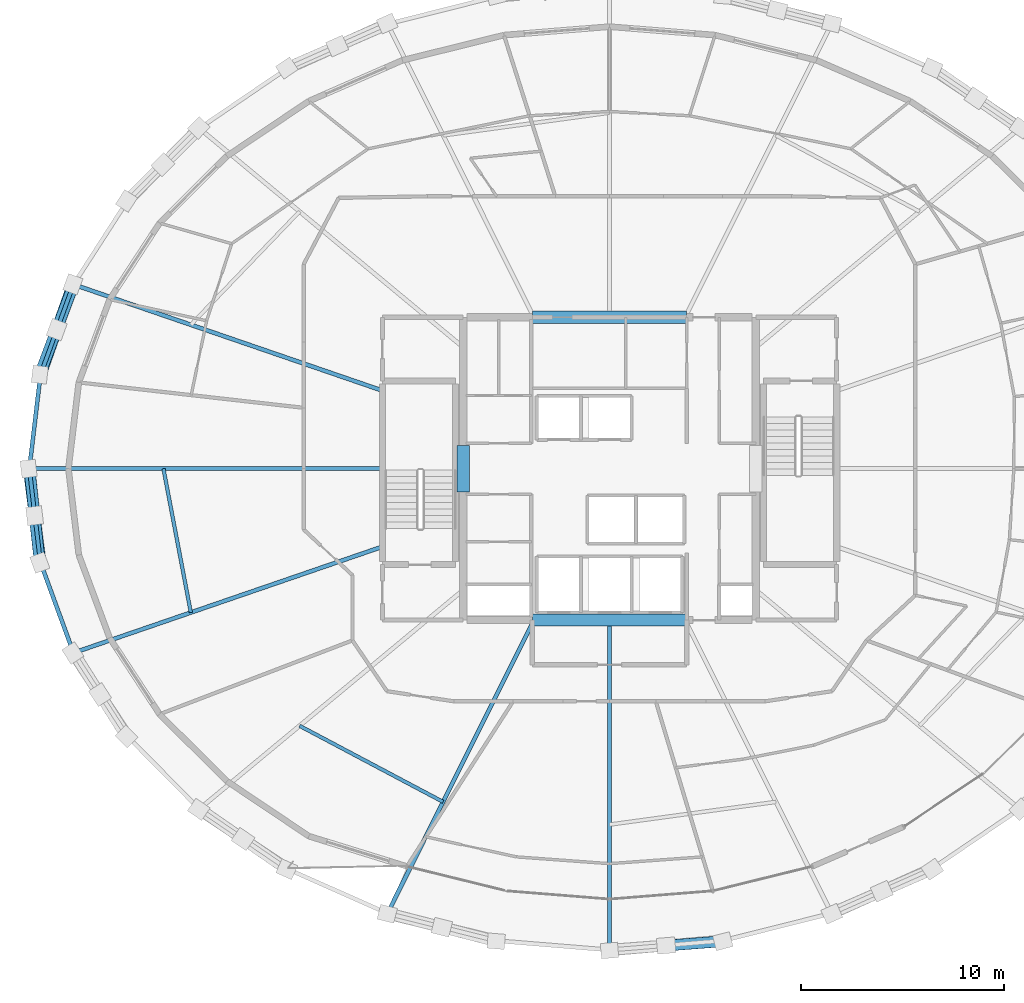
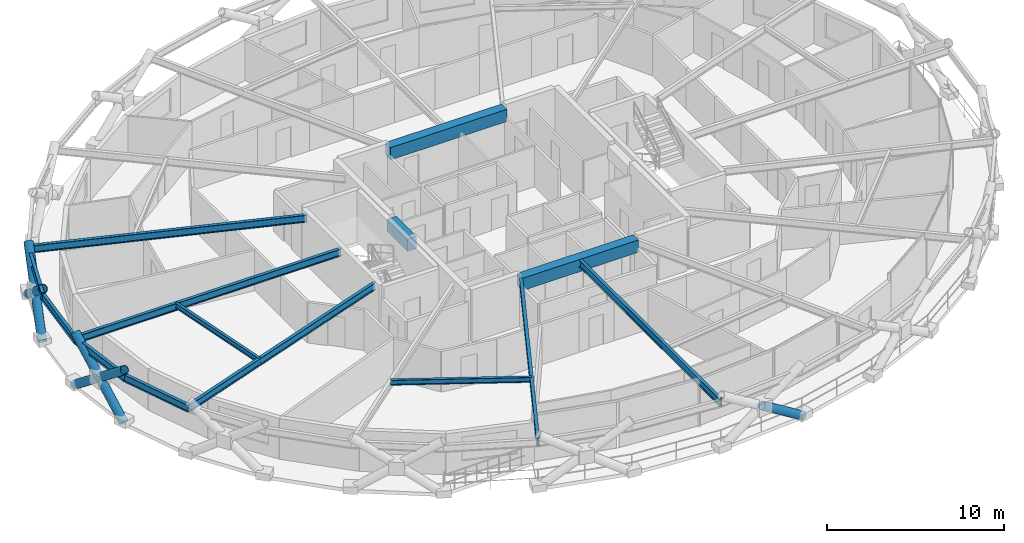
# One storey, part 3 of 21: 14 beams, 7 members.
"""IFC4 building model written with IfcOpenShell, lengths in metres."""

from ifc_helpers import new_model, si_unit, direction, frame, origin, origin_2d, place, context, subcontext, project, spatial, rectangle, hollow_circle, i_section, extrude, material, material_profile, profile_set, type_object, element, save


model = new_model("IFC4")

# Units and contexts
model_context = context("Model", 3, precision=1e-05, world=origin(), true_north=direction((0.0, 1.0)))
body_context = subcontext(model_context, "Body", "Model", "MODEL_VIEW")
ifc_project = project(units=[si_unit("LENGTHUNIT", "METRE"), si_unit("AREAUNIT", "SQUARE_METRE"), si_unit("VOLUMEUNIT", "CUBIC_METRE"), si_unit("PLANEANGLEUNIT", "RADIAN"), si_unit("MASSUNIT", "GRAM", prefix="KILO")], contexts=[model_context])

# Site, building, storey
site_placement = place(None, origin())
site = spatial("IfcSite", under=ifc_project, at=site_placement, CompositionType="ELEMENT")
building_placement = place(site_placement, origin())
building = spatial("IfcBuilding", under=site, at=building_placement, Name="Veldorina Hangang Commons", CompositionType="ELEMENT")
storey_placement = place(building_placement, frame((0.0, 0.0, 128.0)))
storey = spatial("IfcBuildingStorey", under=building, at=storey_placement, Name="L32", CompositionType="ELEMENT", Elevation=128.0)

# Beams
ifc_material_1 = material(Name="Concrete C60/75", Category="concrete")
ifc_material_profile_1 = material_profile(ifc_material_1, rectangle(XDim=0.60009765625, YDim=0.85009765625, at=origin_2d()), Name="RC-CB-600x850")
ifc_profile_set_1 = profile_set([ifc_material_profile_1], Name="Concrete C60/75")
beam_type_1 = type_object("IfcBeamType", Name="BM-CB850", PredefinedType="LINTEL", material=ifc_profile_set_1)
beam_1_placement = place(storey_placement, frame((24.800048828125, 22.85009765625, 2.925048828125), z_axis=(0.0, 1.0, 0.0), x_axis=(-1.0, 0.0, 0.0)))
element("IfcBeam", 1, at=beam_1_placement, inside=storey, type_object=beam_type_1, Name="L32 W core coupling lintel beam", PredefinedType="LINTEL", context=body_context, shape_type="SweptSolid", body=[
    extrude(rectangle(XDim=0.60009765625, YDim=0.85009765625, at=origin_2d()), origin(), (0.0, 0.0, 1.0), 2.2998046875),
])
for number, where, z_axis, x_axis, name in (
    (2, (28.199951171875, 16.550048828125, 2.925048828125), (1.0, 0.0, 0.0), (0.0, 1.0, 0.0), "L32 south core coupling beam"),
    (3, (28.199951171875, 31.449951171875, 2.925048828125), (1.0, 0.0, 0.0), (0.0, 1.0, 0.0), "L32 north core coupling beam"),
):
    element("IfcBeam", number, at=place(storey_placement, frame(where, z_axis=z_axis, x_axis=x_axis)), inside=storey, type_object=beam_type_1, Name=name, PredefinedType="LINTEL", context=body_context, shape_type="SweptSolid", body=[
        extrude(rectangle(XDim=0.60009765625, YDim=0.85009765625, at=origin_2d()), origin(), (0.0, 0.0, 1.0), 7.60009765625),
    ])
ifc_material_2 = material(Name="Steel SM420-TMC", Category="steel")
ifc_material_profile_2 = material_profile(ifc_material_2, i_section(OverallWidth=0.199951171875, OverallDepth=0.5, WebThickness=0.010009765625, FlangeThickness=0.01611328125, FilletRadius=0.01611328125, at=origin_2d()), Name="H-500x200x10x16")
ifc_profile_set_2 = profile_set([ifc_material_profile_2], Name="Steel SM420-TMC")
beam_type_2 = type_object("IfcBeamType", Name="BM-FG500", PredefinedType="BEAM", material=ifc_profile_set_2)
beam_2_placement = place(storey_placement, frame((20.820068359375, 27.841796875, 3.10009765625), z_axis=(-0.945721042054, 0.32497955415, 0.0), x_axis=(-0.32497955415, -0.945721042054, 0.0)))
element("IfcBeam", 4, at=beam_2_placement, inside=storey, type_object=beam_type_2, Name="L32 radial floor girder 08", PredefinedType="BEAM", context=body_context, shape_type="SweptSolid", body=[
    extrude(i_section(OverallWidth=0.199951171875, OverallDepth=0.5, WebThickness=0.010009765625, FlangeThickness=0.01611328125, FilletRadius=0.01611328125, at=origin_2d()), origin(), (0.0, 0.0, 1.0), 16.068359375),
])
beam_3_placement = place(storey_placement, frame((20.820068359375, 24.0, 3.10009765625), z_axis=(-1.0, 0.0, 0.0), x_axis=(0.0, -1.0, 0.0)))
element("IfcBeam", 5, at=beam_3_placement, inside=storey, type_object=beam_type_2, Name="L32 radial floor girder 09", PredefinedType="BEAM", context=body_context, shape_type="SweptSolid", body=[
    extrude(i_section(OverallWidth=0.199951171875, OverallDepth=0.5, WebThickness=0.010009765625, FlangeThickness=0.01611328125, FilletRadius=0.01611328125, at=origin_2d()), origin(), (0.0, 0.0, 1.0), 17.36962890625),
])
beam_4_placement = place(storey_placement, frame((20.820068359375, 20.158203125, 3.10009765625), z_axis=(-0.945721042054, -0.32497955415, 0.0), x_axis=(0.32497955415, -0.945721042054, 0.0)))
element("IfcBeam", 6, at=beam_4_placement, inside=storey, type_object=beam_type_2, Name="L32 radial floor girder 10", PredefinedType="BEAM", context=body_context, shape_type="SweptSolid", body=[
    extrude(i_section(OverallWidth=0.199951171875, OverallDepth=0.5, WebThickness=0.010009765625, FlangeThickness=0.01611328125, FilletRadius=0.01611328125, at=origin_2d()), origin(), (0.0, 0.0, 1.0), 16.068359375),
])
beam_5_placement = place(storey_placement, frame((28.2802734375, 16.550048828125, 3.10009765625), z_axis=(-0.446698926258, -0.89468434058, 0.0), x_axis=(0.89468434058, -0.446698926258, 0.0)))
element("IfcBeam", 7, at=beam_5_placement, inside=storey, type_object=beam_type_2, Name="L32 radial floor girder 12", PredefinedType="BEAM", context=body_context, shape_type="SweptSolid", body=[
    extrude(i_section(OverallWidth=0.199951171875, OverallDepth=0.5, WebThickness=0.010009765625, FlangeThickness=0.01611328125, FilletRadius=0.01611328125, at=origin_2d()), origin(), (0.0, 0.0, 1.0), 16.130615234375),
])
beam_6_placement = place(storey_placement, frame((32.0, 16.550048828125, 3.10009765625), z_axis=(0.0, -1.0, 0.0), x_axis=(1.0, 0.0, 0.0)))
element("IfcBeam", 8, at=beam_6_placement, inside=storey, type_object=beam_type_2, Name="L32 radial floor girder 13", PredefinedType="BEAM", context=body_context, shape_type="SweptSolid", body=[
    extrude(i_section(OverallWidth=0.199951171875, OverallDepth=0.5, WebThickness=0.010009765625, FlangeThickness=0.01611328125, FilletRadius=0.01611328125, at=origin_2d()), origin(), (0.0, 0.0, 1.0), 16.23486328125),
])
ifc_material_3 = material(Name="Steel SM355-TMC", Category="steel")
ifc_material_profile_3 = material_profile(ifc_material_3, i_section(OverallWidth=0.175048828125, OverallDepth=0.35009765625, WebThickness=0.007080078125, FlangeThickness=0.010986328125, FilletRadius=0.012939453125, at=origin_2d()), Name="H-350x175x7x11")
ifc_profile_set_3 = profile_set([ifc_material_profile_3], Name="Steel SM355-TMC")
beam_type_3 = type_object("IfcBeamType", Name="BM-JST350", PredefinedType="JOIST", material=ifc_profile_set_3)
beam_7_placement = place(storey_placement, frame((10.05078125, 24.0, 3.175048828125), z_axis=(0.186973554, -0.982364947514, 0.0), x_axis=(0.982364947514, 0.186973554, 0.0)))
element("IfcBeam", 9, at=beam_7_placement, inside=storey, type_object=beam_type_3, Name="L32 secondary floor joist 09", PredefinedType="JOIST", context=body_context, shape_type="SweptSolid", body=[
    extrude(i_section(OverallWidth=0.175048828125, OverallDepth=0.35009765625, WebThickness=0.007080078125, FlangeThickness=0.010986328125, FilletRadius=0.012939453125, at=origin_2d()), origin(), (0.0, 0.0, 1.0), 7.20654296875),
])
beam_8_placement = place(storey_placement, frame((16.747802734375, 11.3466796875, 3.175048828125), z_axis=(0.883574668701, -0.46829029974, 0.0), x_axis=(0.46829029974, 0.883574668701, 0.0)))
element("IfcBeam", 10, at=beam_8_placement, inside=storey, type_object=beam_type_3, Name="L32 secondary floor joist 11", PredefinedType="JOIST", context=body_context, shape_type="SweptSolid", body=[
    extrude(i_section(OverallWidth=0.175048828125, OverallDepth=0.35009765625, WebThickness=0.007080078125, FlangeThickness=0.010986328125, FilletRadius=0.012939453125, at=origin_2d()), origin(), (0.0, 0.0, 1.0), 7.995849609375),
])
ifc_material_profile_4 = material_profile(ifc_material_2, i_section(OverallWidth=0.199951171875, OverallDepth=0.5, WebThickness=0.010009765625, FlangeThickness=0.01611328125, FilletRadius=0.01611328125, at=origin_2d()), Name="H-500x200x10x16")
ifc_profile_set_4 = profile_set([ifc_material_profile_4], Name="Steel SM420-TMC")
beam_type_4 = type_object("IfcBeamType", Name="BM-RB500", PredefinedType="BEAM", material=ifc_profile_set_4)
beam_9_placement = place(storey_placement, frame((5.623779296875, 33.063720703125, 3.10009765625), z_axis=(-0.343437214821, -0.939175638247, 0.0), x_axis=(0.939175638247, -0.343437214821, 0.0)))
element("IfcBeam", 11, at=beam_9_placement, inside=storey, type_object=beam_type_4, Name="L32 perimeter hoop ring beam 14", PredefinedType="BEAM", context=body_context, shape_type="SweptSolid", body=[
    extrude(i_section(OverallWidth=0.199951171875, OverallDepth=0.5, WebThickness=0.010009765625, FlangeThickness=0.01611328125, FilletRadius=0.01611328125, at=origin_2d()), origin(), (0.0, 0.0, 1.0), 4.73095703125),
])
for number, where, z_axis, x_axis, name in (
    (12, (3.9990234375, 28.62060546875, 3.10009765625), (-0.117897542711, -0.993025764733, 0.0), (0.993025764733, -0.117897542711, 0.0), "L32 perimeter hoop ring beam 15"),
    (13, (3.450439453125, 24.0, 3.10009765625), (0.117897542711, -0.993025764733, 0.0), (0.993025764733, 0.117897542711, 0.0), "L32 perimeter hoop ring beam 16"),
):
    element("IfcBeam", number, at=place(storey_placement, frame(where, z_axis=z_axis, x_axis=x_axis)), inside=storey, type_object=beam_type_4, Name=name, PredefinedType="BEAM", context=body_context, shape_type="SweptSolid", body=[
        extrude(i_section(OverallWidth=0.199951171875, OverallDepth=0.5, WebThickness=0.010009765625, FlangeThickness=0.01611328125, FilletRadius=0.01611328125, at=origin_2d()), origin(), (0.0, 0.0, 1.0), 4.653076171875),
    ])
beam_10_placement = place(storey_placement, frame((3.9990234375, 19.37939453125, 3.10009765625), z_axis=(0.343437214821, -0.939175638247, 0.0), x_axis=(0.939175638247, 0.343437214821, 0.0)))
element("IfcBeam", 14, at=beam_10_placement, inside=storey, type_object=beam_type_4, Name="L32 perimeter hoop ring beam 17", PredefinedType="BEAM", context=body_context, shape_type="SweptSolid", body=[
    extrude(i_section(OverallWidth=0.199951171875, OverallDepth=0.5, WebThickness=0.010009765625, FlangeThickness=0.01611328125, FilletRadius=0.01611328125, at=origin_2d()), origin(), (0.0, 0.0, 1.0), 4.73095703125),
])

# Members
ifc_material_profile_5 = material_profile(ifc_material_2, hollow_circle(Radius=0.27490234375, WallThickness=0.028076171875, at=origin_2d()), Name="CHS-550x28")
ifc_profile_set_5 = profile_set([ifc_material_profile_5], Name="Steel SM420-TMC")
member_type = type_object("IfcMemberType", Name="DG-CHS550", PredefinedType="BRACE", material=ifc_profile_set_5)
member_1_placement = place(storey_placement, frame((5.59033203125, 33.073486328125, 0.0), z_axis=(-0.266814533513, -0.749496569193, 0.605858809852), x_axis=(0.942084933013, -0.335374386306, 0.0)))
element("IfcMember", 15, at=member_1_placement, inside=storey, type_object=member_type, Name="L32 continuous perimeter diagrid brace 14", PredefinedType="BRACE", context=body_context, shape_type="SweptSolid", body=[
    extrude(hollow_circle(Radius=0.27490234375, WallThickness=0.028076171875, at=origin_2d()), origin(), (0.0, 0.0, 1.0), 5.942138671875),
])
member_2_placement = place(storey_placement, frame((3.9638671875, 28.62548828125, 0.0), z_axis=(0.279854556801, 0.745513516095, 0.604889266194), x_axis=(-0.936210637294, 0.351439386833, 0.0)))
element("IfcMember", 16, at=member_2_placement, inside=storey, type_object=member_type, Name="L32 split perimeter diagrid lower brace 15", PredefinedType="BRACE", context=body_context, shape_type="SweptSolid", body=[
    extrude(hollow_circle(Radius=0.27490234375, WallThickness=0.028076171875, at=origin_2d()), origin(), (0.0, 0.0, 1.0), 2.9775390625),
])
member_3_placement = place(storey_placement, frame((4.797119140625, 30.84521484375, 1.801025390625), z_axis=(0.279775813415, 0.745494178879, 0.604949521436), x_axis=(-0.936240171833, 0.351360698778, 0.0)))
element("IfcMember", 17, at=member_3_placement, inside=storey, type_object=member_type, Name="L32 split perimeter diagrid upper brace 15", PredefinedType="BRACE", context=body_context, shape_type="SweptSolid", body=[
    extrude(hollow_circle(Radius=0.27490234375, WallThickness=0.028076171875, at=origin_2d()), origin(), (0.0, 0.0, 1.0), 2.973876953125),
])
member_4_placement = place(storey_placement, frame((3.41455078125, 24.0, 0.0), z_axis=(0.100283515768, -0.784807679437, 0.611571845953), x_axis=(0.991934642077, 0.126750407681, 0.0)))
element("IfcMember", 18, at=member_4_placement, inside=storey, type_object=member_type, Name="L32 continuous perimeter diagrid brace 16", PredefinedType="BRACE", context=body_context, shape_type="SweptSolid", body=[
    extrude(hollow_circle(Radius=0.27490234375, WallThickness=0.028076171875, at=origin_2d()), origin(), (0.0, 0.0, 1.0), 5.88671875),
])
member_5_placement = place(storey_placement, frame((3.9638671875, 19.37451171875, 0.0), z_axis=(-0.086344636757, 0.786225563704, 0.611877411482), x_axis=(-0.994023602014, -0.109165372898, 0.0)))
element("IfcMember", 19, at=member_5_placement, inside=storey, type_object=member_type, Name="L32 split perimeter diagrid lower brace 17", PredefinedType="BRACE", context=body_context, shape_type="SweptSolid", body=[
    extrude(hollow_circle(Radius=0.27490234375, WallThickness=0.028076171875, at=origin_2d()), origin(), (0.0, 0.0, 1.0), 2.943359375),
])
member_6_placement = place(storey_placement, frame((3.709716796875, 21.688720703125, 1.801025390625), z_axis=(-0.086200110084, 0.786181543513, 0.61195434606), x_axis=(-0.994042752905, -0.10899085006, 0.0)))
element("IfcMember", 20, at=member_6_placement, inside=storey, type_object=member_type, Name="L32 split perimeter diagrid upper brace 17", PredefinedType="BRACE", context=body_context, shape_type="SweptSolid", body=[
    extrude(hollow_circle(Radius=0.27490234375, WallThickness=0.028076171875, at=origin_2d()), origin(), (0.0, 0.0, 1.0), 2.93994140625),
])
member_7_placement = place(storey_placement, frame((37.576904296875, 0.74560546875, 0.0), z_axis=(-0.838444647764, -0.064038685695, 0.541211252073), x_axis=(0.076156143848, -0.99709590399, 0.0)))
element("IfcMember", 21, at=member_7_placement, inside=storey, type_object=member_type, Name="L32 split perimeter diagrid lower brace 25", PredefinedType="BRACE", context=body_context, shape_type="SweptSolid", body=[
    extrude(hollow_circle(Radius=0.27490234375, WallThickness=0.028076171875, at=origin_2d()), origin(), (0.0, 0.0, 1.0), 3.328125),
])

save(model, "model.ifc")
